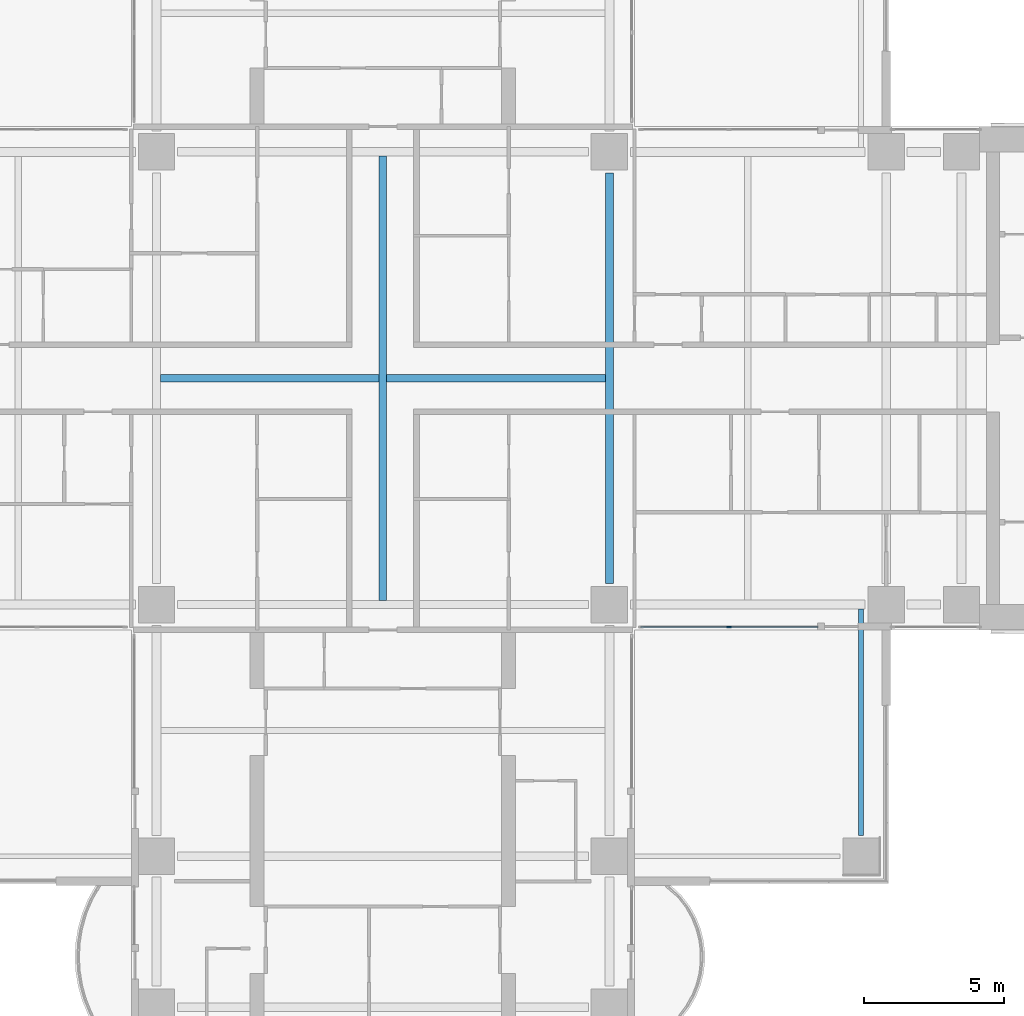
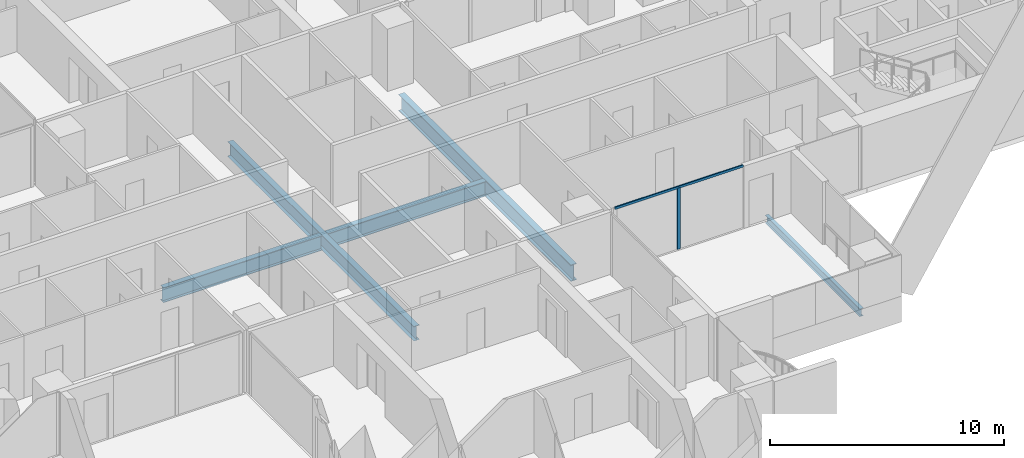
# One storey, part 4 of 23: 5 beams, 2 members, 1 element without a shape of its own.
"""IFC4 building model written with IfcOpenShell, lengths in metres."""

from ifc_helpers import new_model, si_unit, direction, frame, origin, origin_2d, place, context, subcontext, project, spatial, rectangle, i_section, extrude, material, material_profile, profile_set, type_object, element, aggregate, save


model = new_model("IFC4")

# Units and contexts
model_context = context("Model", 3, precision=1e-05, world=origin(), true_north=direction((0.0, 1.0)))
body_context = subcontext(model_context, "Body", "Model", "MODEL_VIEW")
ifc_project = project(units=[si_unit("LENGTHUNIT", "METRE"), si_unit("AREAUNIT", "SQUARE_METRE"), si_unit("VOLUMEUNIT", "CUBIC_METRE"), si_unit("PLANEANGLEUNIT", "RADIAN"), si_unit("MASSUNIT", "GRAM", prefix="KILO")], contexts=[model_context])

# Site, building, storey
site_placement = place(None, origin())
site = spatial("IfcSite", under=ifc_project, at=site_placement, CompositionType="ELEMENT")
building_placement = place(site_placement, origin())
building = spatial("IfcBuilding", under=site, at=building_placement, Name="Perihelion Cross Residences", CompositionType="ELEMENT")
storey_placement = place(building_placement, frame((0.0, 0.0, 36.5)))
storey = spatial("IfcBuildingStorey", under=building, at=storey_placement, Name="L05", CompositionType="ELEMENT", Elevation=36.5)

# Curtain wall, members
ifc_material_1 = material(Name="Bronze anodised aluminium, tinted glazing", Category="aluminium")
curtain_wall_type = type_object("IfcCurtainWallType", Name="CW1", PredefinedType="NOTDEFINED", material=ifc_material_1)
curtain_wall_placement = place(storey_placement, origin())
curtain_wall = element("IfcCurtainWall", 1, at=curtain_wall_placement, inside=storey, type_object=curtain_wall_type, Name="Curtain wall CW1 L05 east side south bay 1", PredefinedType="NOTDEFINED")
ifc_material_2 = material(Name="Bronze anodised aluminium", Category="aluminium")
ifc_material_profile_1 = material_profile(ifc_material_2, rectangle(XDim=0.06005859375, YDim=0.159912109375, at=origin_2d()), Name="CW1 mullion")
ifc_profile_set_1 = profile_set([ifc_material_profile_1], Name="Bronze anodised aluminium")
member_type_1 = type_object("IfcMemberType", Name="CW1 mullion", PredefinedType="MULLION", material=ifc_profile_set_1)
member_1_placement = place(storey_placement, frame((12.375, -8.89990234375, 0.0), z_axis=(0.0, 0.0, 1.0), x_axis=(0.0, 1.0, 0.0)))
member_1 = element("IfcMember", 2, at=member_1_placement, type_object=member_type_1, Name="CW1 mullion 2", PredefinedType="MULLION", context=body_context, shape_type="SweptSolid", body=[
    extrude(rectangle(XDim=0.06005859375, YDim=0.159912109375, at=origin_2d()), origin(), (0.0, 0.0, 1.0), 3.18994140625),
])
ifc_material_3 = material(Name="Bronze anodised aluminium", Category="aluminium")
ifc_material_profile_2 = material_profile(ifc_material_3, rectangle(XDim=0.06005859375, YDim=0.1201171875, at=origin_2d()), Name="CW1 transom")
ifc_profile_set_2 = profile_set([ifc_material_profile_2], Name="Bronze anodised aluminium")
member_type_2 = type_object("IfcMemberType", Name="CW1 transom", PredefinedType="USERDEFINED", material=ifc_profile_set_2)
member_2_placement = place(storey_placement, frame((9.22998046875, -8.89990234375, 3.219970703125), z_axis=(1.0, 0.0, 0.0), x_axis=(0.0, 1.0, 0.0)))
member_2 = element("IfcMember", 3, at=member_2_placement, type_object=member_type_2, Name="CW1 head transom", ObjectType="TRANSOM", PredefinedType="USERDEFINED", context=body_context, shape_type="SweptSolid", body=[
    extrude(rectangle(XDim=0.06005859375, YDim=0.1201171875, at=origin_2d()), origin(), (0.0, 0.0, 1.0), 6.320068359375),
])
aggregate(curtain_wall, [member_1, member_2])

# Beams
ifc_material_4 = material(Name="Steel S355", Category="steel")
ifc_material_profile_3 = material_profile(ifc_material_4, i_section(OverallWidth=0.177978515625, OverallDepth=0.406005859375, WebThickness=0.0078125, FlangeThickness=0.0126953125, at=origin_2d()), Name="W410x60")
ifc_profile_set_3 = profile_set([ifc_material_profile_3], Name="Steel S355")
beam_type_1 = type_object("IfcBeamType", Name="Core edge beam W410x60", PredefinedType="BEAM", material=ifc_profile_set_3)
beam_1_placement = place(storey_placement, frame((17.10009765625, -8.262451171875, -0.452880859375), z_axis=(0.0, -1.0, 0.0), x_axis=(1.0, 0.0, 0.0)))
element("IfcBeam", 4, at=beam_1_placement, inside=storey, type_object=beam_type_1, Name="Core edge beam TB2 L05 corner no. 5", PredefinedType="BEAM", context=body_context, shape_type="SweptSolid", body=[
    extrude(i_section(OverallWidth=0.177978515625, OverallDepth=0.406005859375, WebThickness=0.0078125, FlangeThickness=0.0126953125, at=origin_2d()), origin(), (0.0, 0.0, 1.0), 8.087646484375),
])
ifc_material_5 = material(Name="Steel S355", Category="steel")
ifc_material_profile_4 = material_profile(ifc_material_5, i_section(OverallWidth=0.26708984375, OverallDepth=0.77001953125, WebThickness=0.015625, FlangeThickness=0.025390625, at=origin_2d()), Name="W760x196")
ifc_profile_set_4 = profile_set([ifc_material_profile_4], Name="Steel S355")
beam_type_2 = type_object("IfcBeamType", Name="Hub cross beam W760x196", PredefinedType="BEAM", material=ifc_profile_set_4)
beam_2_placement = place(storey_placement, frame((0.0, -7.9541015625, -0.635009765625), z_axis=(0.0, 1.0, 0.0), x_axis=(-1.0, 0.0, 0.0)))
element("IfcBeam", 5, at=beam_2_placement, inside=storey, type_object=beam_type_2, Name="Hub cross beam XB2 L05 no. 1", PredefinedType="BEAM", context=body_context, shape_type="SweptSolid", body=[
    extrude(i_section(OverallWidth=0.26708984375, OverallDepth=0.77001953125, WebThickness=0.015625, FlangeThickness=0.025390625, at=origin_2d()), origin(), (0.0, 0.0, 1.0), 15.908203125),
])
for number, where, z_axis, x_axis, name in (
    (6, (-7.9541015625, 0.0, -0.635009765625), (1.0, 0.0, 0.0), (0.0, 1.0, 0.0), "Hub cross beam XB2 L05 1 no. 1"),
    (7, (0.133544921875, 0.0, -0.635009765625), (1.0, 0.0, 0.0), (0.0, 1.0, 0.0), "Hub cross beam XB2 L05 2 no. 1"),
):
    element("IfcBeam", number, at=place(storey_placement, frame(where, z_axis=z_axis, x_axis=x_axis)), inside=storey, type_object=beam_type_2, Name=name, PredefinedType="BEAM", context=body_context, shape_type="SweptSolid", body=[
        extrude(i_section(OverallWidth=0.26708984375, OverallDepth=0.77001953125, WebThickness=0.015625, FlangeThickness=0.025390625, at=origin_2d()), origin(), (0.0, 0.0, 1.0), 7.820556640625),
    ])
ifc_material_6 = material(Name="Steel S355", Category="steel")
ifc_material_profile_5 = material_profile(ifc_material_6, i_section(OverallWidth=0.2919921875, OverallDepth=0.85888671875, WebThickness=0.01708984375, FlangeThickness=0.031005859375, at=origin_2d()), Name="W840x251")
ifc_profile_set_5 = profile_set([ifc_material_profile_5], Name="Steel S355")
beam_type_3 = type_object("IfcBeamType", Name="Hub ring girder W840x251", PredefinedType="BEAM", material=ifc_profile_set_5)
beam_3_placement = place(storey_placement, frame((8.10009765625, -7.35009765625, -0.679443359375), z_axis=(0.0, 1.0, 0.0), x_axis=(-1.0, 0.0, 0.0)))
element("IfcBeam", 8, at=beam_3_placement, inside=storey, type_object=beam_type_3, Name="Hub ring girder RG2 L05 no. 3", PredefinedType="BEAM", context=body_context, shape_type="SweptSolid", body=[
    extrude(i_section(OverallWidth=0.2919921875, OverallDepth=0.85888671875, WebThickness=0.01708984375, FlangeThickness=0.031005859375, at=origin_2d()), origin(), (0.0, 0.0, 1.0), 14.7001953125),
])

save(model, "model.ifc")
